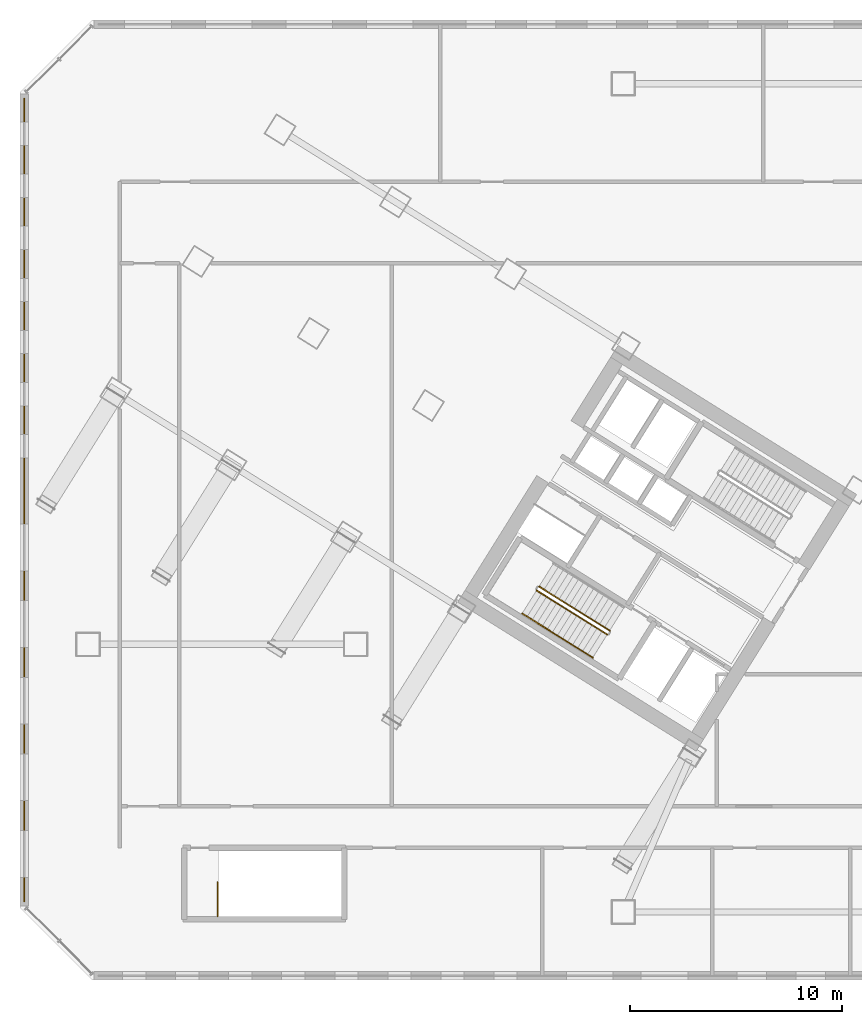
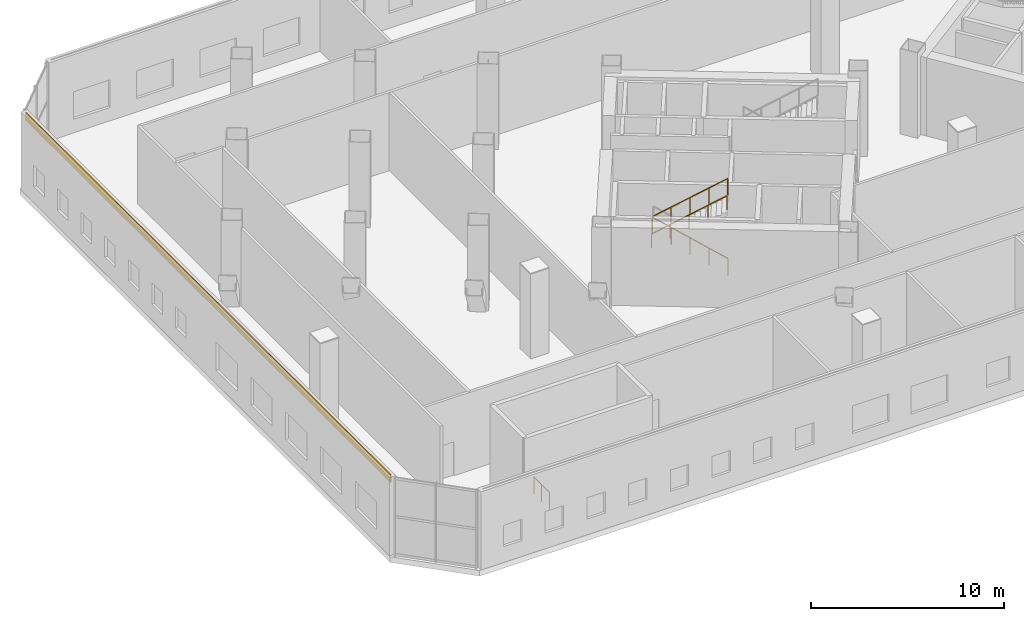
# One storey, part 19 of 23: 5 railings, 1 covering.
"""IFC4 building model written with IfcOpenShell, lengths in metres."""

from ifc_helpers import new_model, si_unit, direction, frame, origin, origin_2d, place, context, subcontext, project, spatial, rectangle, extrude, source, transform, mapped, material, layer, layer_set, type_object, element, save


model = new_model("IFC4")

# Units and contexts
model_context = context("Model", 3, precision=1e-05, world=origin(), true_north=direction((0.0, 1.0)))
body_context = subcontext(model_context, "Body", "Model", "MODEL_VIEW")
ifc_project = project(units=[si_unit("LENGTHUNIT", "METRE"), si_unit("AREAUNIT", "SQUARE_METRE"), si_unit("VOLUMEUNIT", "CUBIC_METRE"), si_unit("PLANEANGLEUNIT", "RADIAN"), si_unit("MASSUNIT", "GRAM", prefix="KILO")], contexts=[model_context])

# Site, building, storey
site_placement = place(None, origin())
site = spatial("IfcSite", under=ifc_project, at=site_placement, CompositionType="ELEMENT")
building_placement = place(site_placement, origin())
building = spatial("IfcBuilding", under=site, at=building_placement, Name="Tlacorven Tower", CompositionType="ELEMENT")
storey_placement = place(building_placement, frame((0.0, 0.0, 18.60009765625)))
storey = spatial("IfcBuildingStorey", under=building, at=storey_placement, Name="L04", CompositionType="ELEMENT", Elevation=18.60009765625)

# Covering
ifc_material_1 = material(Name="Precast concrete C45/55", Category="concrete")
ifc_layer = layer(ifc_material_1, 0.06005859375)
ifc_layer_set = layer_set([ifc_layer], Name="Precast concrete C45/55")
covering_type = type_object("IfcCoveringType", Name="CV-CLD-TERC", PredefinedType="CLADDING", material=ifc_layer_set)
shared_shape_1 = source(origin(), body_context, "Body", "SweptSolid", [
    extrude(rectangle(XDim=37.834228515625, YDim=0.06005859375, at=origin_2d()), origin(), (0.0, 0.0, 1.0), 0.47998046875),
])
covering_placement = place(storey_placement, frame((1.60009765625, 24.0, 4.469970703125), z_axis=(0.0, 0.0, 1.0), x_axis=(0.0, 1.0, 0.0)))
element("IfcCovering", 1, at=covering_placement, inside=storey, type_object=covering_type, Name="L04 Expressed Terracotta Masonry Spandrel Band 2", PredefinedType="CLADDING", context=body_context, shape_type="MappedRepresentation", body=[
    mapped(shared_shape_1, transform((0.0, 0.0, 0.0), scale=1.0)),
])

# Railings
ifc_material_2 = material(Name="Aluminium and painted steel balustrade", Category="steel")
railing_type_1 = type_object("IfcRailingType", Name="RL-GRD-1100", PredefinedType="GUARDRAIL", material=ifc_material_2)
shared_shape_2 = source(origin(), body_context, "Body", "SweptSolid", [
    extrude(rectangle(XDim=0.048095703125, YDim=0.048095703125, at=origin_2d()), frame((0.0, 0.0, 1.076171875), z_axis=(-0.713337067426, 0.445783277521, 0.540765658782), x_axis=(-0.529954152494, -0.848026294554, 0.0)), (0.0, 0.0, 1.0), 4.66015625),
    extrude(rectangle(XDim=0.0419921875, YDim=0.0419921875, at=origin_2d()), origin(), (0.0, 0.0, 1.0), 1.052001953125),
    extrude(rectangle(XDim=0.0419921875, YDim=0.0419921875, at=origin_2d()), frame((-0.8310546875, 0.519287109375, 0.6298828125)), (0.0, 0.0, 1.0), 1.052001953125),
    extrude(rectangle(XDim=0.0419921875, YDim=0.0419921875, at=origin_2d()), frame((-1.662109375, 1.03857421875, 1.260009765625)), (0.0, 0.0, 1.0), 1.052001953125),
    extrude(rectangle(XDim=0.0419921875, YDim=0.0419921875, at=origin_2d()), frame((-2.4931640625, 1.55810546875, 1.89013671875)), (0.0, 0.0, 1.0), 1.052001953125),
    extrude(rectangle(XDim=0.0419921875, YDim=0.0419921875, at=origin_2d()), frame((-3.32421875, 2.077392578125, 2.52001953125)), (0.0, 0.0, 1.0), 1.052001953125),
])
railing_1_placement = place(storey_placement, frame((29.16064453125, 17.851806640625, 0.179931640625)))
element("IfcRailing", 2, at=railing_1_placement, inside=storey, type_object=railing_type_1, Name="L04 ST-W1 stair guard 1", PredefinedType="GUARDRAIL", context=body_context, shape_type="MappedRepresentation", body=[
    mapped(shared_shape_2, transform((0.0, 0.0, 0.0), scale=1.0)),
])
shared_shape_3 = source(origin(), body_context, "Body", "SweptSolid", [
    extrude(rectangle(XDim=0.048095703125, YDim=0.048095703125, at=origin_2d()), frame((0.0, 0.0, 1.076171875), z_axis=(0.713362797158, -0.445766618272, 0.540745449972), x_axis=(0.529926163394, 0.848043785043, 0.0)), (0.0, 0.0, 1.0), 4.66015625),
    extrude(rectangle(XDim=0.0419921875, YDim=0.0419921875, at=origin_2d()), origin(), (0.0, 0.0, 1.0), 1.052001953125),
    extrude(rectangle(XDim=0.0419921875, YDim=0.0419921875, at=origin_2d()), frame((0.8310546875, -0.519287109375, 0.6298828125)), (0.0, 0.0, 1.0), 1.052001953125),
    extrude(rectangle(XDim=0.0419921875, YDim=0.0419921875, at=origin_2d()), frame((1.662109375, -1.03857421875, 1.260009765625)), (0.0, 0.0, 1.0), 1.052001953125),
    extrude(rectangle(XDim=0.0419921875, YDim=0.0419921875, at=origin_2d()), frame((2.493408203125, -1.55810546875, 1.89013671875)), (0.0, 0.0, 1.0), 1.052001953125),
    extrude(rectangle(XDim=0.0419921875, YDim=0.0419921875, at=origin_2d()), frame((3.324462890625, -2.077392578125, 2.52001953125)), (0.0, 0.0, 1.0), 1.052001953125),
])
railing_2_placement = place(storey_placement, frame((25.7197265625, 19.74267578125, 2.8798828125)))
element("IfcRailing", 3, at=railing_2_placement, inside=storey, type_object=railing_type_1, Name="L04 ST-W1 stair guard 3", PredefinedType="GUARDRAIL", context=body_context, shape_type="MappedRepresentation", body=[
    mapped(shared_shape_3, transform((0.0, 0.0, 0.0), scale=1.0)),
])
railing_type_2 = type_object("IfcRailingType", Name="RL-HND-0900", PredefinedType="HANDRAIL", material=ifc_material_2)
shared_shape_4 = source(origin(), body_context, "Body", "SweptSolid", [
    extrude(rectangle(XDim=0.048095703125, YDim=0.048095703125, at=origin_2d()), frame((0.0, 0.0, 0.8759765625), z_axis=(0.713353726602, -0.445741297439, 0.540778287749), x_axis=(0.52990936055, 0.848054284584, 0.0)), (0.0, 0.0, 1.0), 2.330078125),
    extrude(rectangle(XDim=0.0419921875, YDim=0.0419921875, at=origin_2d()), origin(), (0.0, 0.0, 1.0), 0.851806640625),
    extrude(rectangle(XDim=0.0419921875, YDim=0.0419921875, at=origin_2d()), frame((0.8310546875, -0.519287109375, 0.6298828125)), (0.0, 0.0, 1.0), 0.851806640625),
    extrude(rectangle(XDim=0.0419921875, YDim=0.0419921875, at=origin_2d()), frame((1.662109375, -1.03857421875, 1.260009765625)), (0.0, 0.0, 1.0), 0.851806640625),
])
for number, where, name in (
    (4, (25.04150390625, 18.656982421875, 2.8798828125), "L04 ST-W1 stair handrail 3"),
    (5, (26.70361328125, 17.618408203125, 4.139892578125), "L04 ST-W1 stair handrail 4"),
):
    element("IfcRailing", number, at=place(storey_placement, frame(where)), inside=storey, type_object=railing_type_2, Name=name, PredefinedType="HANDRAIL", context=body_context, shape_type="MappedRepresentation", body=[
        mapped(shared_shape_4, transform((0.0, 0.0, 0.0), scale=1.0)),
    ])
shared_shape_5 = source(origin(), body_context, "Body", "SweptSolid", [
    extrude(rectangle(XDim=0.048095703125, YDim=0.048095703125, at=origin_2d()), frame((0.0, 0.0, 1.076171875), z_axis=(0.0, 1.0, 0.0), x_axis=(-1.0, 0.0, 0.0)), (0.0, 0.0, 1.0), 1.60009765625),
    extrude(rectangle(XDim=0.0419921875, YDim=0.0419921875, at=origin_2d()), origin(), (0.0, 0.0, 1.0), 1.052001953125),
    extrude(rectangle(XDim=0.0419921875, YDim=0.0419921875, at=origin_2d()), frame((0.0, 0.800048828125, 0.0)), (0.0, 0.0, 1.0), 1.052001953125),
    extrude(rectangle(XDim=0.0419921875, YDim=0.0419921875, at=origin_2d()), frame((0.0, 1.60009765625, 0.0)), (0.0, 0.0, 1.0), 1.052001953125),
])
railing_3_placement = place(storey_placement, frame((10.699951171875, 4.39990234375, 0.0)))
element("IfcRailing", 6, at=railing_3_placement, inside=storey, type_object=railing_type_1, Name="L04 ST-P1 top well guard 1", PredefinedType="GUARDRAIL", context=body_context, shape_type="MappedRepresentation", body=[
    mapped(shared_shape_5, transform((0.0, 0.0, 0.0), scale=1.0)),
])

save(model, "model.ifc")
